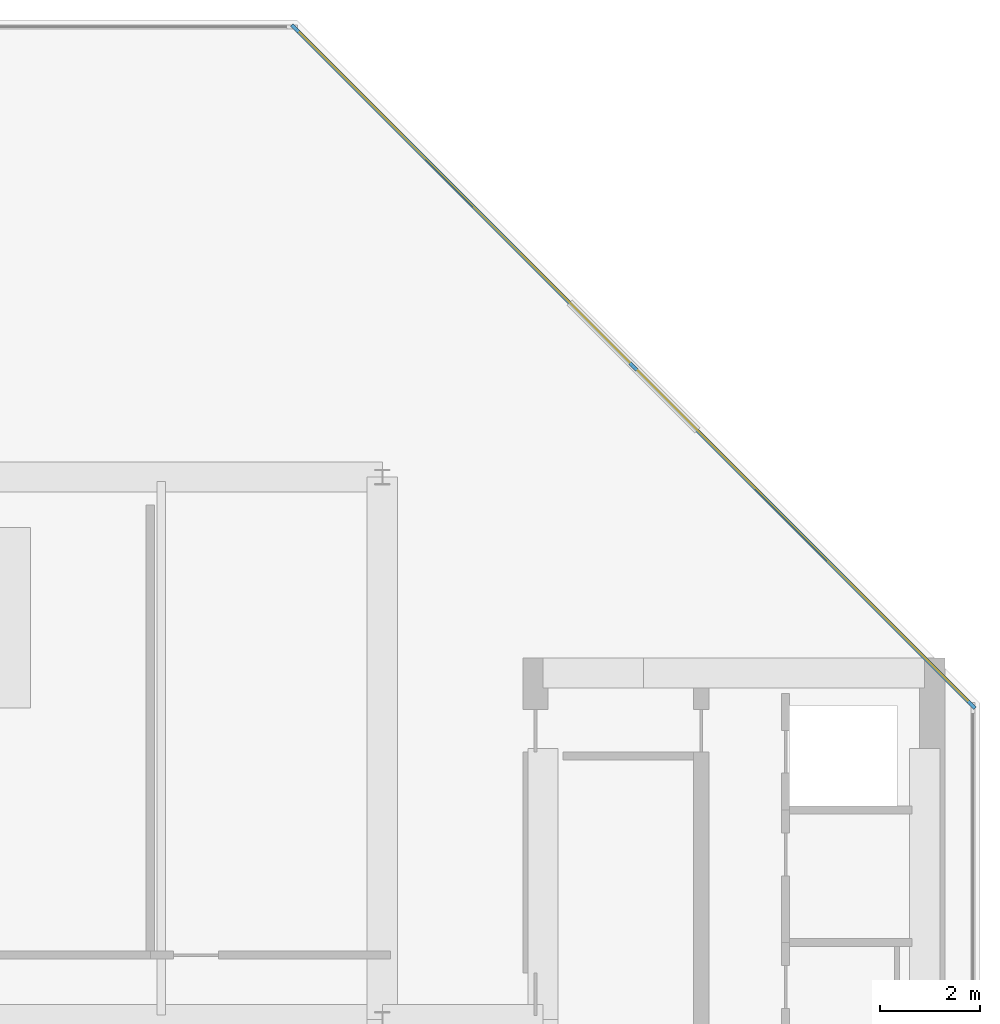
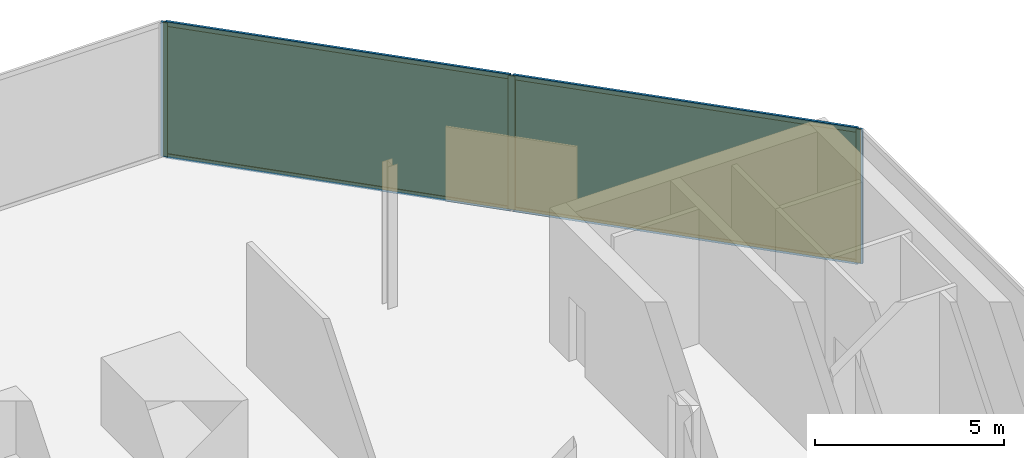
# One storey, part 11 of 15: 7 members, 2 plates, 1 curtain wall.
"""IFC4 building model written with IfcOpenShell, lengths in metres."""

from ifc_helpers import new_model, si_unit, direction, frame, frame_2d, origin, origin_2d, place, context, subcontext, project, spatial, rectangle, extrude, material, layer, layer_set, material_profile, profile_set, type_object, element, aggregate, save


model = new_model("IFC4")

# Units and contexts
model_context = context("Model", 3, precision=1e-05, world=origin(), true_north=direction((0.0, 1.0)))
body_context = subcontext(model_context, "Body", "Model", "MODEL_VIEW")
ifc_project = project(units=[si_unit("LENGTHUNIT", "METRE"), si_unit("AREAUNIT", "SQUARE_METRE"), si_unit("VOLUMEUNIT", "CUBIC_METRE"), si_unit("PLANEANGLEUNIT", "RADIAN"), si_unit("MASSUNIT", "GRAM", prefix="KILO")], contexts=[model_context])

# Member
ifc_material_1 = material(Name="Anodised Bronze Aluminium 6063-T6", Category="aluminium")
ifc_material_profile_1 = material_profile(ifc_material_1, rectangle(XDim=0.070068359375, YDim=0.18994140625, at=origin_2d()))
ifc_profile_set_1 = profile_set([ifc_material_profile_1], Name="Anodised Bronze Aluminium 6063-T6")
member_type_1 = type_object("IfcMemberType", Name="CW-SLC Mullion 70x190", PredefinedType="MULLION", material=ifc_profile_set_1)
site_placement = place(None, origin())
building_placement = place(site_placement, origin())
storey_placement = place(building_placement, frame((0.0, 0.0, 330.39990234375)))
member_1_placement = place(storey_placement, frame((7.466796875, 19.7353515625, 0.0), z_axis=(0.0, 0.0, 1.0), x_axis=(0.707106781187, 0.707106781187, 0.0)))
member_1 = element("IfcMember", 1, at=member_1_placement, type_object=member_type_1, Name="CW-SLC mullion 1", PredefinedType="MULLION", context=body_context, shape_type="SweptSolid", body=[
    extrude(rectangle(XDim=0.070068359375, YDim=0.18994140625, at=origin_2d()), origin(), (0.0, 0.0, 1.0), 4.340087890625),
])

member_2_placement = place(storey_placement, frame((14.200927734375, 13.0009765625, 0.0), z_axis=(0.0, 0.0, 1.0), x_axis=(0.707106781187, 0.707106781187, 0.0)))
member_2 = element("IfcMember", 2, at=member_2_placement, type_object=member_type_1, Name="CW-SLC mullion 2", PredefinedType="MULLION", context=body_context, shape_type="SweptSolid", body=[
    extrude(rectangle(XDim=0.070068359375, YDim=0.18994140625, at=origin_2d()), origin(), (0.0, 0.0, 1.0), 4.340087890625),
])

member_3_placement = place(storey_placement, frame((20.935302734375, 6.266845703125, 0.0), z_axis=(0.0, 0.0, 1.0), x_axis=(0.707106781187, 0.707106781187, 0.0)))
member_3 = element("IfcMember", 3, at=member_3_placement, type_object=member_type_1, Name="CW-SLC mullion 3", PredefinedType="MULLION", context=body_context, shape_type="SweptSolid", body=[
    extrude(rectangle(XDim=0.070068359375, YDim=0.18994140625, at=origin_2d()), origin(), (0.0, 0.0, 1.0), 4.340087890625),
])

ifc_material_2 = material(Name="Anodised Bronze Aluminium 6063-T6", Category="aluminium")
ifc_material_profile_2 = material_profile(ifc_material_2, rectangle(XDim=0.070068359375, YDim=0.14990234375, at=origin_2d()))
ifc_profile_set_2 = profile_set([ifc_material_profile_2], Name="Anodised Bronze Aluminium 6063-T6")
member_type_2 = type_object("IfcMemberType", Name="CW-SLC Transom 70x150", PredefinedType="USERDEFINED", material=ifc_profile_set_2)
member_4_placement = place(storey_placement, frame((7.491455078125, 19.71044921875, 0.03515625), z_axis=(0.707106781187, -0.707106781187, 0.0), x_axis=(0.707106781187, 0.707106781187, 0.0)))
member_4 = element("IfcMember", 4, at=member_4_placement, type_object=member_type_2, Name="CW-SLC transom 1.1", ObjectType="TRANSOM", PredefinedType="USERDEFINED", context=body_context, shape_type="SweptSolid", body=[
    extrude(rectangle(XDim=0.070068359375, YDim=0.14990234375, at=origin_2d()), origin(), (0.0, 0.0, 1.0), 9.453857421875),
])

member_5_placement = place(storey_placement, frame((7.491455078125, 19.71044921875, 4.30517578125), z_axis=(0.707106781187, -0.707106781187, 0.0), x_axis=(0.707106781187, 0.707106781187, 0.0)))
member_5 = element("IfcMember", 5, at=member_5_placement, type_object=member_type_2, Name="CW-SLC transom 1.2", ObjectType="TRANSOM", PredefinedType="USERDEFINED", context=body_context, shape_type="SweptSolid", body=[
    extrude(rectangle(XDim=0.070068359375, YDim=0.14990234375, at=origin_2d()), origin(), (0.0, 0.0, 1.0), 9.453857421875),
])

member_6_placement = place(storey_placement, frame((14.225830078125, 12.976318359375, 0.03515625), z_axis=(0.707093868471, -0.707119693667, 0.0), x_axis=(0.707119693667, 0.707093868471, 0.0)))
member_6 = element("IfcMember", 6, at=member_6_placement, type_object=member_type_2, Name="CW-SLC transom 2.1", ObjectType="TRANSOM", PredefinedType="USERDEFINED", context=body_context, shape_type="SweptSolid", body=[
    extrude(rectangle(XDim=0.070068359375, YDim=0.14990234375, at=origin_2d()), origin(), (0.0, 0.0, 1.0), 9.45361328125),
])

member_7_placement = place(storey_placement, frame((14.225830078125, 12.976318359375, 4.30517578125), z_axis=(0.707093868471, -0.707119693667, 0.0), x_axis=(0.707119693667, 0.707093868471, 0.0)))
member_7 = element("IfcMember", 7, at=member_7_placement, type_object=member_type_2, Name="CW-SLC transom 2.2", ObjectType="TRANSOM", PredefinedType="USERDEFINED", context=body_context, shape_type="SweptSolid", body=[
    extrude(rectangle(XDim=0.070068359375, YDim=0.14990234375, at=origin_2d()), origin(), (0.0, 0.0, 1.0), 9.45361328125),
])

# Plate
ifc_material_3 = material(Name="Low-E Solar Control Laminated Glass", Category="glass")
ifc_layer_1 = layer(ifc_material_3, 0.033935546875, Name="Low-E Solar Control Laminated Glass")
ifc_layer_set_1 = layer_set([ifc_layer_1], Name="Low-E Solar Control Laminated Glass")
plate_type = type_object("IfcPlateType", Name="CW-SLC Low-E Double Glazed Panel 34mm", PredefinedType="CURTAIN_PANEL", material=ifc_layer_set_1)
plate_1_placement = place(storey_placement, frame((10.833984375, 16.3681640625, 0.0703125), z_axis=(0.0, 0.0, 1.0), x_axis=(0.707106781187, -0.707106781187, 0.0)))
plate_1 = element("IfcPlate", 8, at=plate_1_placement, type_object=plate_type, Name="CW-SLC panel 1.1", PredefinedType="CURTAIN_PANEL", context=body_context, shape_type="SweptSolid", body=[
    extrude(rectangle(XDim=9.45361328125, YDim=0.033935546875, at=origin_2d()), origin(), (0.0, 0.0, 1.0), 4.199951171875),
])

plate_2_placement = place(storey_placement, frame((17.568115234375, 9.6337890625, 0.0703125), z_axis=(0.0, 0.0, 1.0), x_axis=(0.707106781187, -0.707106781187, 0.0)))
plate_2 = element("IfcPlate", 9, at=plate_2_placement, type_object=plate_type, Name="CW-SLC panel 2.1", PredefinedType="CURTAIN_PANEL", context=body_context, shape_type="SweptSolid", body=[
    extrude(rectangle(XDim=9.45361328125, YDim=0.033935546875, at=origin_2d()), origin(), (0.0, 0.0, 1.0), 4.199951171875),
])

# Site, building, storey
site = spatial("IfcSite", under=ifc_project, at=site_placement, CompositionType="ELEMENT")
building = spatial("IfcBuilding", under=site, at=building_placement, Name="Khairoan Windgate Tower", CompositionType="ELEMENT")
storey = spatial("IfcBuildingStorey", under=building, at=storey_placement, Name="L79", CompositionType="ELEMENT", Elevation=330.39990234375)

# Curtain wall
ifc_material_4 = material(Name="Anodised Bronze Aluminium 6063-T6", Category="aluminium")
ifc_layer_2 = layer(ifc_material_4, 0.18994140625, Name="Anodised Bronze Aluminium 6063-T6")
ifc_layer_set_2 = layer_set([ifc_layer_2], Name="Anodised Bronze Aluminium 6063-T6")
curtain_wall_type = type_object("IfcCurtainWallType", Name="Diagonal Corner-Slice Facet Curtain Wall CW-SLC", PredefinedType="NOTDEFINED", material=ifc_layer_set_2)
curtain_wall_placement = place(storey_placement, frame((7.44189453125, 19.760009765625, 0.0), z_axis=(0.0, 0.0, 1.0), x_axis=(0.707106781187, -0.707106781187, 0.0)))
curtain_wall = element("IfcCurtainWall", 10, at=curtain_wall_placement, inside=storey, type_object=curtain_wall_type, Name="L79 Crystal Slice Curtain Wall 7", PredefinedType="NOTDEFINED", context=body_context, shape_type="SweptSolid", body=[
    extrude(rectangle(XDim=19.117431640625, YDim=0.010009765625, at=frame_2d((9.55859375, 0.0))), origin(), (0.0, 0.0, 1.0), 4.340087890625),
])

aggregate(curtain_wall, [member_1, member_2, member_3, member_4, member_5, plate_1, member_6, member_7, plate_2])

save(model, "model.ifc")
